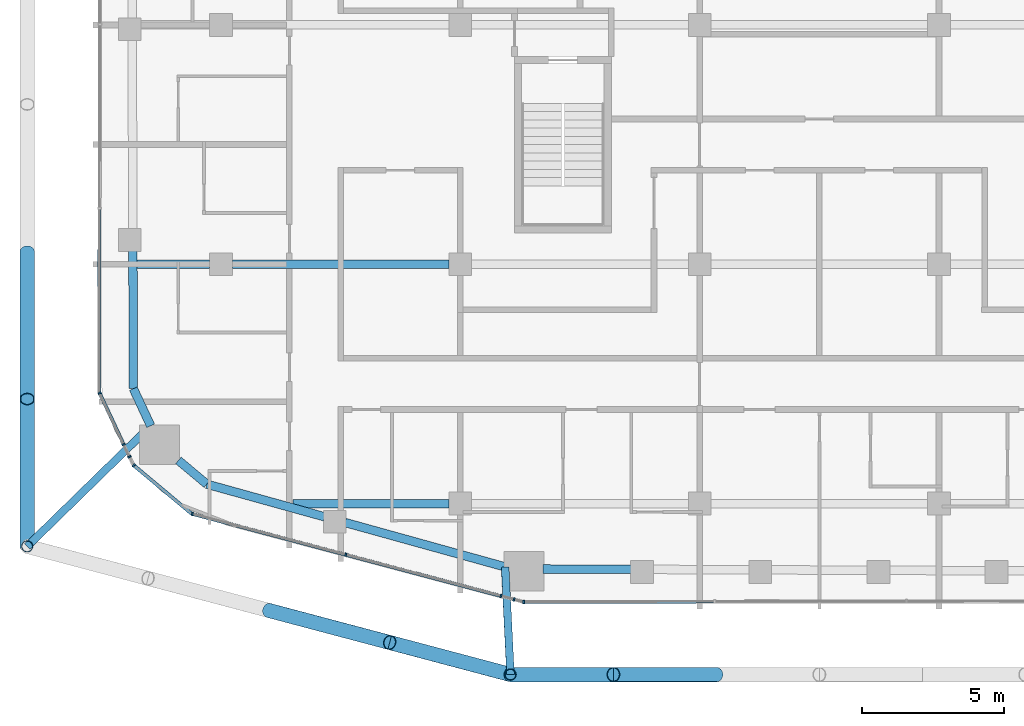
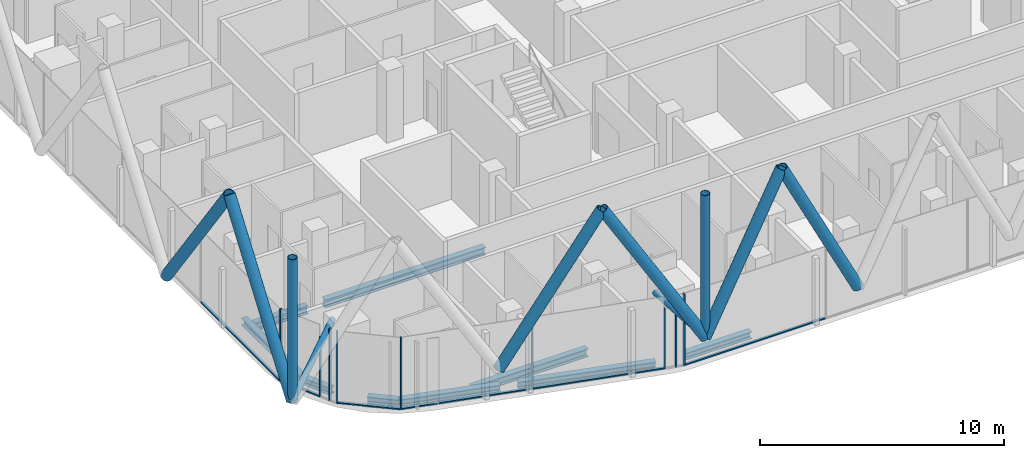
# One storey, part 2 of 28: 25 members, 9 beams, 9 elements without a shape of their own.
"""IFC4 building model written with IfcOpenShell, lengths in metres."""

import ifcopenshell
import ifcopenshell.guid

model = None  # the IFC model being written
_history = None  # IfcOwnerHistory: only IFC2X3 demands one
_inside = {}  # id of a spatial element -> (the spatial element, [elements in it])
_under = {}  # id of a project, library or spatial element -> (it, [spatial elements below it])
_declared = {}  # id of a project -> (the project, [libraries it declares])
_typed = {}  # id of a type object -> (the type object, [elements of that type])
_made_of = {}  # id of a material, layer set ... -> (it, [elements and type objects made of it])


def new_model(schema):
    """Start an empty IFC model of exactly this schema.

    Asked for "IFC4X3", IfcOpenShell would pick the latest addendum, in which some entities
    have other attributes; the version numbers below select the first issue.
    IFC2X3 requires an IfcOwnerHistory on every rooted entity: one is made here for all.
    """
    global model, _history
    if schema == "IFC4X3":
        model = ifcopenshell.file(schema_version=(4, 3, 0, 0))
    else:
        model = ifcopenshell.file(schema=schema)
    _inside.clear()
    _under.clear()
    _declared.clear()
    _typed.clear()
    _made_of.clear()
    _history = None
    if model.schema == "IFC2X3":
        org = make("IfcOrganization", Name="unknown")
        user = make(
            "IfcPersonAndOrganization",
            ThePerson=make("IfcPerson", FamilyName="unknown"),
            TheOrganization=org,
        )
        app = make(
            "IfcApplication",
            ApplicationDeveloper=org,
            Version="unknown",
            ApplicationFullName="unknown",
            ApplicationIdentifier="unknown",
        )
        _history = make(
            "IfcOwnerHistory",
            OwningUser=user,
            OwningApplication=app,
            ChangeAction="ADDED",
            CreationDate=0,
        )
    return model


def make(cls, **values):
    """One entity of the class cls with the attributes given. An attribute that is None is left unset."""
    return model.create_entity(
        cls, **{name: value for name, value in values.items() if value is not None}
    )


def rooted(cls, **values):
    """An entity with a GlobalId (a new one), such as an element, a storey or a relation."""
    return make(cls, GlobalId=ifcopenshell.guid.new(), OwnerHistory=_history, **values)


def si_unit(unit_type, name, prefix=None):
    """IfcSIUnit, for example si_unit("LENGTHUNIT", "METRE", prefix="MILLI")."""
    return make("IfcSIUnit", UnitType=unit_type, Prefix=prefix, Name=name)


def assignment(units):
    """IfcUnitAssignment: the units of a project."""
    return None if units is None else make("IfcUnitAssignment", Units=units)


def point(xyz):
    """IfcCartesianPoint."""
    return None if xyz is None else make("IfcCartesianPoint", Coordinates=xyz)


def direction(xyz):
    """IfcDirection."""
    return None if xyz is None else make("IfcDirection", DirectionRatios=xyz)


def frame(location, z_axis=None, x_axis=None):
    """IfcAxis2Placement3D, a coordinate frame: its origin and axes. An axis left out is left unset."""
    return make(
        "IfcAxis2Placement3D",
        Location=point(location),
        Axis=direction(z_axis),
        RefDirection=direction(x_axis),
    )


def frame_2d(location, x_axis=None):
    """IfcAxis2Placement2D, a coordinate frame in the plane: its origin and x axis."""
    return make(
        "IfcAxis2Placement2D", Location=point(location), RefDirection=direction(x_axis)
    )


def origin():
    """The frame at (0, 0, 0) with its axes left unset."""
    return frame((0.0, 0.0, 0.0))


def origin_2d():
    """The frame at (0, 0) in the plane with its x axis left unset."""
    return frame_2d((0.0, 0.0))


def place(relative_to, where):
    """IfcLocalPlacement: puts the frame where relative to a parent placement (None: the world)."""
    return make(
        "IfcLocalPlacement", PlacementRelTo=relative_to, RelativePlacement=where
    )


def context(
    kind, dimensions, precision=None, world=None, true_north=None, identifier=None
):
    """IfcGeometricRepresentationContext, for example the 3D "Model" context."""
    return make(
        "IfcGeometricRepresentationContext",
        ContextIdentifier=identifier,
        ContextType=kind,
        CoordinateSpaceDimension=dimensions,
        Precision=precision,
        WorldCoordinateSystem=world,
        TrueNorth=true_north,
    )


def subcontext(parent, identifier, kind, view, scale=None):
    """IfcGeometricRepresentationSubContext, for example "Body" below "Model"."""
    return make(
        "IfcGeometricRepresentationSubContext",
        ContextIdentifier=identifier,
        ContextType=kind,
        ParentContext=parent,
        TargetScale=scale,
        TargetView=view,
    )


def project(units=None, contexts=None):
    """IfcProject with its units and contexts."""
    return rooted(
        "IfcProject",
        Name="project",
        RepresentationContexts=contexts,
        UnitsInContext=assignment(units),
    )


def spatial(cls, under=None, at=None, **own):
    """A site, building, storey or space (cls), placed at a placement, below another one or the project."""
    s = rooted(cls, ObjectPlacement=at, **own)
    if under is not None:
        _under.setdefault(under.id(), (under, []))[1].append(s)
    return s


def profile(cls, at=None, kind="AREA", **sizes):
    """A parametric profile (cls). Its sizes go by their IFC names, for example OverallWidth=200.0."""
    return make(cls, ProfileType=kind, Position=at, **sizes)


def rectangle(**sizes):
    """IfcRectangleProfileDef."""
    return profile("IfcRectangleProfileDef", **sizes)


def hollow_circle(**sizes):
    """IfcCircleHollowProfileDef."""
    return profile("IfcCircleHollowProfileDef", **sizes)


def i_section(**sizes):
    """IfcIShapeProfileDef."""
    return profile("IfcIShapeProfileDef", **sizes)


def extrude(swept, where, along, depth):
    """IfcExtrudedAreaSolid: the profile swept, set in the frame where, extruded along a direction by depth."""
    return make(
        "IfcExtrudedAreaSolid",
        SweptArea=swept,
        Position=where,
        ExtrudedDirection=direction(along),
        Depth=depth,
    )


def shape(context_of_items, identifier, shape_type, items):
    """IfcShapeRepresentation: the items that make up one representation, for example the "Body"."""
    return make(
        "IfcShapeRepresentation",
        ContextOfItems=context_of_items,
        RepresentationIdentifier=identifier,
        RepresentationType=shape_type,
        Items=items,
    )


def material(Name=None, Category=None):
    """IfcMaterial."""
    return make("IfcMaterial", Name=Name, Category=Category)


def layer(
    of_material, thickness, ventilated=None, Name=None, Category=None, Priority=None
):
    """IfcMaterialLayer: one layer of a wall or slab, of a material (None: an air gap)."""
    return make(
        "IfcMaterialLayer",
        Material=of_material,
        LayerThickness=thickness,
        IsVentilated=ventilated,
        Name=Name,
        Category=Category,
        Priority=Priority,
    )


def layer_set(layers, Name=None):
    """IfcMaterialLayerSet."""
    return make("IfcMaterialLayerSet", MaterialLayers=layers, LayerSetName=Name)


def material_profile(
    of_material, cross_section, Name=None, Category=None, Priority=None
):
    """IfcMaterialProfile: a cross section and its material."""
    return make(
        "IfcMaterialProfile",
        Name=Name,
        Material=of_material,
        Profile=cross_section,
        Priority=Priority,
        Category=Category,
    )


def profile_set(profiles, Name=None, composite=None):
    """IfcMaterialProfileSet."""
    return make(
        "IfcMaterialProfileSet",
        Name=Name,
        MaterialProfiles=profiles,
        CompositeProfile=composite,
    )


def made_of(thing, what):
    """Note that an element or type object is made of a material, layer set ...; save() writes the relation."""
    if what is not None:
        _made_of.setdefault(what.id(), (what, []))[1].append(thing)
    return thing


def type_object(cls, material=None, **own):
    """A type object (cls), such as IfcWallType, which elements share."""
    return made_of(rooted(cls, **own), material)


def element(
    cls,
    number,
    at=None,
    inside=None,
    cuts=None,
    type_object=None,
    material=None,
    context=None,
    identifier="Body",
    shape_type=None,
    held_by="IfcProductDefinitionShape",
    body=None,
    shapes=None,
    **own,
):
    """One element of the class cls, such as IfcWall. Its Tag is "e" and its number.

    at: its placement. inside: the storey or other place that contains it. cuts: it is an
    opening in that element (IfcRelVoidsElement). A single representation is given by context,
    identifier, shape_type and body (its items); several are given by shapes. held_by: the class
    of the entity that holds the representations. save() writes the other relations.
    """
    e = rooted(cls, Tag="e%d" % number, ObjectPlacement=at, **own)
    if body is not None:
        shapes = [shape(context, identifier, shape_type, body)]
    if shapes is not None:
        e.Representation = make(held_by, Representations=shapes)
    if inside is not None:
        _inside.setdefault(inside.id(), (inside, []))[1].append(e)
    if cuts is not None:
        rooted(
            "IfcRelVoidsElement", RelatingBuildingElement=cuts, RelatedOpeningElement=e
        )
    if type_object is not None:
        _typed.setdefault(type_object.id(), (type_object, []))[1].append(e)
    return made_of(e, material)


def aggregate(whole, parts):
    """IfcRelAggregates: a whole, such as a stair, and the parts it consists of."""
    return rooted("IfcRelAggregates", RelatingObject=whole, RelatedObjects=parts)


def save(model, path):
    """Write the relations noted so far, then the file.

    IfcRelAggregates (storeys below a building ...), IfcRelContainedInSpatialStructure (elements
    in a storey), IfcRelDefinesByType, IfcRelAssociatesMaterial and IfcRelDeclares: one each for
    every whole, place, type object, material and project.
    """
    for whole, parts in _under.values():
        aggregate(whole, parts)
    for where, things in _inside.values():
        rooted(
            "IfcRelContainedInSpatialStructure",
            RelatedElements=things,
            RelatingStructure=where,
        )
    for kind, things in _typed.values():
        rooted("IfcRelDefinesByType", RelatedObjects=things, RelatingType=kind)
    for what, things in _made_of.values():
        rooted("IfcRelAssociatesMaterial", RelatedObjects=things, RelatingMaterial=what)
    for by, libraries in _declared.values():
        rooted("IfcRelDeclares", RelatingContext=by, RelatedDefinitions=libraries)
    model.write(path)


model = new_model("IFC4")

# Units and contexts
model_context = context("Model", 3, precision=1e-05, world=origin(), true_north=direction((0.0, 1.0)))
body_context = subcontext(model_context, "Body", "Model", "MODEL_VIEW")
ifc_project = project(units=[si_unit("LENGTHUNIT", "METRE"), si_unit("AREAUNIT", "SQUARE_METRE"), si_unit("VOLUMEUNIT", "CUBIC_METRE"), si_unit("PLANEANGLEUNIT", "RADIAN"), si_unit("MASSUNIT", "GRAM", prefix="KILO")], contexts=[model_context])

# Site, building, storey
site_placement = place(None, origin())
site = spatial("IfcSite", under=ifc_project, at=site_placement, CompositionType="ELEMENT")
building_placement = place(site_placement, origin())
building = spatial("IfcBuilding", under=site, at=building_placement, Name="Marenta Gate Hotel Tower", CompositionType="ELEMENT")
storey_placement = place(building_placement, frame((0.0, 0.0, 227.300048828125)))
storey = spatial("IfcBuildingStorey", under=building, at=storey_placement, Name="L53", CompositionType="ELEMENT", Elevation=227.300048828125)

# Members
ifc_material_1 = material(Name="Steel S355J2W", Category="steel")
ifc_material_profile_1 = material_profile(ifc_material_1, hollow_circle(Radius=0.203125, WallThickness=0.02490234375, at=origin_2d()), Name="CHS 406.4x25")
ifc_profile_set_1 = profile_set([ifc_material_profile_1], Name="Steel S355J2W")
member_type_1 = type_object("IfcMemberType", Name="Diagrid corner post Z3 CHS 406.4x25", PredefinedType="POST", material=ifc_profile_set_1)
for number, where, z_axis, x_axis, name in (
    (1, (-10.839111328125, -31.199951171875, 3.139892578125), (0.0, 0.0, 1.0), (1.0, 0.0, 0.0), "L53-DR-4"),
    (2, (-27.800048828125, -26.7001953125, 3.139892578125), (0.0, 0.0, 1.0), (1.0, 0.0, 0.0), "L53-DR-5"),
):
    element("IfcMember", number, at=place(storey_placement, frame(where, z_axis=z_axis, x_axis=x_axis)), inside=storey, type_object=member_type_1, Name=name, PredefinedType="POST", context=body_context, shape_type="SweptSolid", body=[
        extrude(hollow_circle(Radius=0.203125, WallThickness=0.02490234375, at=origin_2d()), origin(), (0.0, 0.0, 1.0), 7.199951171875),
    ])
ifc_material_2 = material(Name="Steel S355J2W", Category="steel")
ifc_material_profile_2 = material_profile(ifc_material_2, hollow_circle(Radius=0.25390625, WallThickness=0.02490234375, at=origin_2d()), Name="CHS 508x25")
ifc_profile_set_2 = profile_set([ifc_material_profile_2], Name="Steel S355J2W")
member_type_2 = type_object("IfcMemberType", Name="Diagrid diagonal Z3 CHS 508x25", PredefinedType="BRACE", material=ifc_profile_set_2)
for number, where, z_axis, x_axis, name in (
    (3, (-3.613037109375, -31.199951171875, 3.139892578125), (-0.44851025603, 0.0, 0.893777685018), (0.0, -1.0, 0.0), "L53-DG-19"),
    (4, (-10.839111328125, -31.199951171875, 3.139892578125), (0.44851025603, 0.0, 0.893777685018), (0.0, 1.0, 0.0), "L53-DG-20"),
):
    element("IfcMember", number, at=place(storey_placement, frame(where, z_axis=z_axis, x_axis=x_axis)), inside=storey, type_object=member_type_2, Name=name, PredefinedType="BRACE", context=body_context, shape_type="SweptSolid", body=[
        extrude(hollow_circle(Radius=0.25390625, WallThickness=0.02490234375, at=origin_2d()), origin(), (0.0, 0.0, 1.0), 8.0556640625),
    ])
for number, where, z_axis, x_axis, name in (
    (5, (-10.839111328125, -31.199951171875, 3.139892578125), (-0.502924018666, 0.133433548941, 0.853968921838), (-0.256443187528, -0.96655930577, 0.0), "L53-DG-21"),
    (6, (-19.319580078125, -28.9501953125, 3.139892578125), (0.502925961678, -0.133405107407, 0.853972221087), (0.256391194513, 0.966573098827, 0.0), "L53-DG-22"),
):
    element("IfcMember", number, at=place(storey_placement, frame(where, z_axis=z_axis, x_axis=x_axis)), inside=storey, type_object=member_type_2, Name=name, PredefinedType="BRACE", context=body_context, shape_type="SweptSolid", body=[
        extrude(hollow_circle(Radius=0.25390625, WallThickness=0.02490234375, at=origin_2d()), origin(), (0.0, 0.0, 1.0), 8.43115234375),
    ])
member_1_placement = place(storey_placement, frame((-27.800048828125, -26.7001953125, 3.139892578125), z_axis=(0.0, 0.583279014058, 0.812271870595), x_axis=(-1.0, 0.0, 0.0)))
element("IfcMember", 7, at=member_1_placement, inside=storey, type_object=member_type_2, Name="L53-DG-25", PredefinedType="BRACE", context=body_context, shape_type="SweptSolid", body=[
    extrude(hollow_circle(Radius=0.25390625, WallThickness=0.02490234375, at=origin_2d()), origin(), (0.0, 0.0, 1.0), 8.864013671875),
])
member_2_placement = place(storey_placement, frame((-27.800048828125, -16.360107421875, 3.139892578125), z_axis=(0.0, -0.583260841117, 0.812284919975), x_axis=(1.0, 0.0, 0.0)))
element("IfcMember", 8, at=member_2_placement, inside=storey, type_object=member_type_2, Name="L53-DG-26", PredefinedType="BRACE", context=body_context, shape_type="SweptSolid", body=[
    extrude(hollow_circle(Radius=0.25390625, WallThickness=0.02490234375, at=origin_2d()), origin(), (0.0, 0.0, 1.0), 8.86376953125),
])

# Beams
ifc_material_3 = material(Name="Steel S355", Category="steel")
ifc_material_profile_3 = material_profile(ifc_material_3, i_section(OverallWidth=0.300048828125, OverallDepth=0.340087890625, WebThickness=0.011962890625, FlangeThickness=0.021484375, FilletRadius=0.027099609375, at=origin_2d()), Name="HEB 340")
ifc_profile_set_3 = profile_set([ifc_material_profile_3], Name="Steel S355")
beam_type_1 = type_object("IfcBeamType", Name="Edge beam HEB 340", PredefinedType="SPANDREL", material=ifc_profile_set_3)
beam_1_placement = place(storey_placement, frame((-11.02783203125, -27.42236328125, -0.429931640625), z_axis=(-0.963619240724, 0.267278803699, 0.0), x_axis=(-0.267278803699, -0.963619240724, 0.0)))
element("IfcBeam", 9, at=beam_1_placement, inside=storey, type_object=beam_type_1, Name="L53-EB-1", PredefinedType="SPANDREL", context=body_context, shape_type="SweptSolid", body=[
    extrude(i_section(OverallWidth=0.300048828125, OverallDepth=0.340087890625, WebThickness=0.011962890625, FlangeThickness=0.021484375, FilletRadius=0.027099609375, at=origin_2d()), origin(), (0.0, 0.0, 1.0), 5.82958984375),
])
beam_2_placement = place(storey_placement, frame((-17.3681640625, -25.663818359375, -0.429931640625), z_axis=(-0.963628037304, 0.267247087396, 0.0), x_axis=(-0.267247087396, -0.963628037304, 0.0)))
element("IfcBeam", 10, at=beam_2_placement, inside=storey, type_object=beam_type_1, Name="L53-EB-2", PredefinedType="SPANDREL", context=body_context, shape_type="SweptSolid", body=[
    extrude(i_section(OverallWidth=0.300048828125, OverallDepth=0.340087890625, WebThickness=0.011962890625, FlangeThickness=0.021484375, FilletRadius=0.027099609375, at=origin_2d()), origin(), (0.0, 0.0, 1.0), 4.284423828125),
])
beam_3_placement = place(storey_placement, frame((-21.496826171875, -24.518798828125, -0.429931640625), z_axis=(-0.767065103149, 0.641569269472, 0.0), x_axis=(-0.641569269472, -0.767065103149, 0.0)))
element("IfcBeam", 11, at=beam_3_placement, inside=storey, type_object=beam_type_1, Name="L53-EB-3", PredefinedType="SPANDREL", context=body_context, shape_type="SweptSolid", body=[
    extrude(i_section(OverallWidth=0.300048828125, OverallDepth=0.340087890625, WebThickness=0.011962890625, FlangeThickness=0.021484375, FilletRadius=0.027099609375, at=origin_2d()), origin(), (0.0, 0.0, 1.0), 1.299560546875),
])
beam_4_placement = place(storey_placement, frame((-23.466796875, -22.46923828125, -0.429931640625), z_axis=(-0.423341112024, 0.905970365338, 0.0), x_axis=(-0.905970365338, -0.423341112024, 0.0)))
element("IfcBeam", 12, at=beam_4_placement, inside=storey, type_object=beam_type_1, Name="L53-EB-4", PredefinedType="SPANDREL", context=body_context, shape_type="SweptSolid", body=[
    extrude(i_section(OverallWidth=0.300048828125, OverallDepth=0.340087890625, WebThickness=0.011962890625, FlangeThickness=0.021484375, FilletRadius=0.027099609375, at=origin_2d()), origin(), (0.0, 0.0, 1.0), 1.437255859375),
])
beam_5_placement = place(storey_placement, frame((-24.0751953125, -21.167236328125, -0.429931640625), z_axis=(-0.003318732666, 0.999994492992, 0.0), x_axis=(-0.999994492992, -0.003318732666, 0.0)))
element("IfcBeam", 13, at=beam_5_placement, inside=storey, type_object=beam_type_1, Name="L53-EB-5", PredefinedType="SPANDREL", context=body_context, shape_type="SweptSolid", body=[
    extrude(i_section(OverallWidth=0.300048828125, OverallDepth=0.340087890625, WebThickness=0.011962890625, FlangeThickness=0.021484375, FilletRadius=0.027099609375, at=origin_2d()), origin(), (0.0, 0.0, 1.0), 4.855224609375),
])
beam_6_placement = place(storey_placement, frame((-6.580078125, -27.507568359375, -0.429931640625), z_axis=(-0.99999237665, 0.00390469495, 0.0), x_axis=(-0.00390469495, -0.99999237665, 0.0)))
element("IfcBeam", 14, at=beam_6_placement, inside=storey, type_object=beam_type_1, Name="L53-EB-36", PredefinedType="SPANDREL", context=body_context, shape_type="SweptSolid", body=[
    extrude(i_section(OverallWidth=0.300048828125, OverallDepth=0.340087890625, WebThickness=0.011962890625, FlangeThickness=0.021484375, FilletRadius=0.027099609375, at=origin_2d()), origin(), (0.0, 0.0, 1.0), 3.126220703125),
])

# Members
ifc_material_4 = material(Name="Steel S355J2W", Category="steel")
ifc_material_profile_4 = material_profile(ifc_material_4, hollow_circle(Radius=0.136474609375, WallThickness=0.012451171875, at=origin_2d()), Name="CHS 273x12.5")
ifc_profile_set_4 = profile_set([ifc_material_profile_4], Name="Steel S355J2W")
member_type_3 = type_object("IfcMemberType", Name="Floor tie CHS 273x12.5", PredefinedType="STRUT", material=ifc_profile_set_4)
member_3_placement = place(storey_placement, frame((-10.839111328125, -31.199951171875, 3.139892578125), z_axis=(-0.049850547476, 0.998756688546, 0.0), x_axis=(-0.998756688546, -0.049850547476, 0.0)))
element("IfcMember", 15, at=member_3_placement, inside=storey, type_object=member_type_3, Name="L53-DR-10", PredefinedType="STRUT", context=body_context, shape_type="SweptSolid", body=[
    extrude(hollow_circle(Radius=0.136474609375, WallThickness=0.012451171875, at=origin_2d()), origin(), (0.0, 0.0, 1.0), 3.77587890625),
])
member_4_placement = place(storey_placement, frame((-27.800048828125, -26.7001953125, 3.139892578125), z_axis=(0.715510328178, 0.698602154499, 0.0), x_axis=(-0.698602154499, 0.715510328178, 0.0)))
element("IfcMember", 16, at=member_4_placement, inside=storey, type_object=member_type_3, Name="L53-DR-11", PredefinedType="STRUT", context=body_context, shape_type="SweptSolid", body=[
    extrude(hollow_circle(Radius=0.136474609375, WallThickness=0.012451171875, at=origin_2d()), origin(), (0.0, 0.0, 1.0), 6.050048828125),
])

# Beams
ifc_material_5 = material(Name="Steel S355", Category="steel")
ifc_material_profile_5 = material_profile(ifc_material_5, i_section(OverallWidth=0.300048828125, OverallDepth=0.39990234375, WebThickness=0.013427734375, FlangeThickness=0.02392578125, FilletRadius=0.027099609375, at=origin_2d()), Name="HEB 400")
ifc_profile_set_5 = profile_set([ifc_material_profile_5], Name="Steel S355")
beam_type_2 = type_object("IfcBeamType", Name="Girder HEB 400", PredefinedType="BEAM", material=ifc_profile_set_5)
beam_7_placement = place(storey_placement, frame((-18.479248046875, -25.199951171875, -0.4599609375), z_axis=(1.0, 0.0, 0.0), x_axis=(0.0, 1.0, 0.0)))
element("IfcBeam", 17, at=beam_7_placement, inside=storey, type_object=beam_type_2, Name="L53-GD-1", PredefinedType="BEAM", context=body_context, shape_type="SweptSolid", body=[
    extrude(i_section(OverallWidth=0.300048828125, OverallDepth=0.39990234375, WebThickness=0.013427734375, FlangeThickness=0.02392578125, FilletRadius=0.027099609375, at=origin_2d()), origin(), (0.0, 0.0, 1.0), 5.479248046875),
])
beam_8_placement = place(storey_placement, frame((-23.939697265625, -16.800048828125, -0.4599609375), z_axis=(1.0, 0.0, 0.0), x_axis=(0.0, 1.0, 0.0)))
element("IfcBeam", 18, at=beam_8_placement, inside=storey, type_object=beam_type_2, Name="L53-GD-6", PredefinedType="BEAM", context=body_context, shape_type="SweptSolid", body=[
    extrude(i_section(OverallWidth=0.300048828125, OverallDepth=0.39990234375, WebThickness=0.013427734375, FlangeThickness=0.02392578125, FilletRadius=0.027099609375, at=origin_2d()), origin(), (0.0, 0.0, 1.0), 2.539794921875),
])
beam_9_placement = place(storey_placement, frame((-20.60009765625, -16.800048828125, -0.4599609375), z_axis=(1.0, 0.0, 0.0), x_axis=(0.0, 1.0, 0.0)))
element("IfcBeam", 19, at=beam_9_placement, inside=storey, type_object=beam_type_2, Name="L53-GD-7", PredefinedType="BEAM", context=body_context, shape_type="SweptSolid", body=[
    extrude(i_section(OverallWidth=0.300048828125, OverallDepth=0.39990234375, WebThickness=0.013427734375, FlangeThickness=0.02392578125, FilletRadius=0.027099609375, at=origin_2d()), origin(), (0.0, 0.0, 1.0), 7.60009765625),
])

# Curtain wall, member
ifc_material_6 = material(Name="Tinted insulated glass in bronze anodised frame", Category="glass")
ifc_layer = layer(ifc_material_6, 0.1201171875)
ifc_layer_set = layer_set([ifc_layer], Name="Tinted insulated glass in bronze anodised frame")
curtain_wall_type = type_object("IfcCurtainWallType", Name="Tower unitised curtain wall CW1", PredefinedType="NOTDEFINED", material=ifc_layer_set)
curtain_wall_1_placement = place(storey_placement, origin())
curtain_wall_1 = element("IfcCurtainWall", 20, at=curtain_wall_1_placement, inside=storey, type_object=curtain_wall_type, Name="CW1 run G05", PredefinedType="NOTDEFINED")
ifc_material_7 = material(Name="Bronze anodised aluminium", Category="aluminium")
ifc_material_profile_6 = material_profile(ifc_material_7, rectangle(XDim=0.1201171875, YDim=0.06005859375, at=origin_2d()), Name="Mullion CW1 60x120 bronze anodised aluminium")
ifc_profile_set_6 = profile_set([ifc_material_profile_6], Name="Bronze anodised aluminium")
member_type_4 = type_object("IfcMemberType", Name="Mullion CW1 60x120 bronze anodised aluminium", PredefinedType="MULLION", material=ifc_profile_set_6)
member_5_placement = place(storey_placement, frame((-25.26025390625, -21.321044921875, 0.0), z_axis=(0.0, 0.0, 1.0), x_axis=(0.905974826185, 0.423331565466, 0.0)))
member_5 = element("IfcMember", 21, at=member_5_placement, type_object=member_type_4, Name="CW1 mullion 1", PredefinedType="MULLION", context=body_context, shape_type="SweptSolid", body=[
    extrude(rectangle(XDim=0.1201171875, YDim=0.06005859375, at=origin_2d()), origin(), (0.0, 0.0, 1.0), 3.599853515625),
])

curtain_wall_2_placement = place(storey_placement, origin())
curtain_wall_2 = element("IfcCurtainWall", 22, at=curtain_wall_2_placement, inside=storey, type_object=curtain_wall_type, Name="CW1 run G06", PredefinedType="NOTDEFINED")
member_6_placement = place(storey_placement, frame((-24.418701171875, -23.121826171875, 0.0), z_axis=(0.0, 0.0, 1.0), x_axis=(0.905948786251, 0.423387289241, 0.0)))
member_6 = element("IfcMember", 23, at=member_6_placement, type_object=member_type_4, Name="CW1 mullion 1", PredefinedType="MULLION", context=body_context, shape_type="SweptSolid", body=[
    extrude(rectangle(XDim=0.1201171875, YDim=0.06005859375, at=origin_2d()), origin(), (0.0, 0.0, 1.0), 3.00048828125),
])
aggregate(curtain_wall_2, [member_6])

curtain_wall_3_placement = place(storey_placement, origin())
curtain_wall_3 = element("IfcCurtainWall", 24, at=curtain_wall_3_placement, inside=storey, type_object=curtain_wall_type, Name="CW1 run G07", PredefinedType="NOTDEFINED")
member_7_placement = place(storey_placement, frame((-24.215576171875, -23.556640625, 0.0), z_axis=(0.0, 0.0, 1.0), x_axis=(0.905989668401, 0.423299800084, 0.0)))
member_7 = element("IfcMember", 25, at=member_7_placement, type_object=member_type_4, Name="CW1 mullion 1", PredefinedType="MULLION", context=body_context, shape_type="SweptSolid", body=[
    extrude(rectangle(XDim=0.1201171875, YDim=0.06005859375, at=origin_2d()), origin(), (0.0, 0.0, 1.0), 3.599853515625),
])
aggregate(curtain_wall_3, [member_7])

curtain_wall_4_placement = place(storey_placement, origin())
curtain_wall_4 = element("IfcCurtainWall", 26, at=curtain_wall_4_placement, inside=storey, type_object=curtain_wall_type, Name="CW1 run G08", PredefinedType="NOTDEFINED")
member_8_placement = place(storey_placement, frame((-24.059814453125, -23.85986328125, 0.0), z_axis=(0.0, 0.0, 1.0), x_axis=(0.641524739495, 0.767102345594, 0.0)))
member_8 = element("IfcMember", 27, at=member_8_placement, type_object=member_type_4, Name="CW1 mullion 1", PredefinedType="MULLION", context=body_context, shape_type="SweptSolid", body=[
    extrude(rectangle(XDim=0.1201171875, YDim=0.06005859375, at=origin_2d()), origin(), (0.0, 0.0, 1.0), 3.599853515625),
])

# Curtain wall, members
curtain_wall_5_placement = place(storey_placement, origin())
curtain_wall_5 = element("IfcCurtainWall", 28, at=curtain_wall_5_placement, inside=storey, type_object=curtain_wall_type, Name="CW1 run G09", PredefinedType="NOTDEFINED")
member_9_placement = place(storey_placement, frame((-22.00634765625, -25.560791015625, 0.0), z_axis=(0.0, 0.0, 1.0), x_axis=(0.257131734785, 0.966376360931, 0.0)))
member_9 = element("IfcMember", 29, at=member_9_placement, type_object=member_type_4, Name="CW1 mullion 1", PredefinedType="MULLION", context=body_context, shape_type="SweptSolid", body=[
    extrude(rectangle(XDim=0.1201171875, YDim=0.06005859375, at=origin_2d()), origin(), (0.0, 0.0, 1.0), 3.599853515625),
])
member_10_placement = place(storey_placement, frame((-16.61962890625, -26.994140625, 0.0), z_axis=(0.0, 0.0, 1.0), x_axis=(0.257131734785, 0.966376360931, 0.0)))
member_10 = element("IfcMember", 30, at=member_10_placement, type_object=member_type_4, Name="CW1 mullion 2", PredefinedType="MULLION", context=body_context, shape_type="SweptSolid", body=[
    extrude(rectangle(XDim=0.1201171875, YDim=0.06005859375, at=origin_2d()), origin(), (0.0, 0.0, 1.0), 3.599853515625),
])

# Curtain wall, member
curtain_wall_6_placement = place(storey_placement, origin())
curtain_wall_6 = element("IfcCurtainWall", 31, at=curtain_wall_6_placement, inside=storey, type_object=curtain_wall_type, Name="CW1 run G10", PredefinedType="NOTDEFINED")
member_11_placement = place(storey_placement, frame((-11.1748046875, -28.44287109375, 0.0), z_axis=(0.0, 0.0, 1.0), x_axis=(0.257099982864, 0.966384808868, 0.0)))
member_11 = element("IfcMember", 32, at=member_11_placement, type_object=member_type_4, Name="CW1 mullion 1", PredefinedType="MULLION", context=body_context, shape_type="SweptSolid", body=[
    extrude(rectangle(XDim=0.1201171875, YDim=0.06005859375, at=origin_2d()), origin(), (0.0, 0.0, 1.0), 3.00048828125),
])
aggregate(curtain_wall_6, [member_11])

curtain_wall_7_placement = place(storey_placement, origin())
curtain_wall_7 = element("IfcCurtainWall", 33, at=curtain_wall_7_placement, inside=storey, type_object=curtain_wall_type, Name="CW1 run G11", PredefinedType="NOTDEFINED")
member_12_placement = place(storey_placement, frame((-10.71533203125, -28.565185546875, 0.0), z_axis=(0.0, 0.0, 1.0), x_axis=(0.257431460974, 0.966296560535, 0.0)))
member_12 = element("IfcMember", 34, at=member_12_placement, type_object=member_type_4, Name="CW1 mullion 1", PredefinedType="MULLION", context=body_context, shape_type="SweptSolid", body=[
    extrude(rectangle(XDim=0.1201171875, YDim=0.06005859375, at=origin_2d()), origin(), (0.0, 0.0, 1.0), 3.599853515625),
])
aggregate(curtain_wall_7, [member_12])

curtain_wall_8_placement = place(storey_placement, origin())
curtain_wall_8 = element("IfcCurtainWall", 35, at=curtain_wall_8_placement, inside=storey, type_object=curtain_wall_type, Name="CW1 run G12", PredefinedType="NOTDEFINED")
member_13_placement = place(storey_placement, frame((-10.3759765625, -28.6474609375, 0.0), z_axis=(0.0, 0.0, 1.0), x_axis=(-0.001643488917, 0.999998649471, 0.0)))
member_13 = element("IfcMember", 36, at=member_13_placement, type_object=member_type_4, Name="CW1 mullion 1", PredefinedType="MULLION", context=body_context, shape_type="SweptSolid", body=[
    extrude(rectangle(XDim=0.1201171875, YDim=0.06005859375, at=origin_2d()), origin(), (0.0, 0.0, 1.0), 3.599853515625),
])

curtain_wall_9_placement = place(storey_placement, origin())
curtain_wall_9 = element("IfcCurtainWall", 37, at=curtain_wall_9_placement, inside=storey, type_object=curtain_wall_type, Name="CW1 run G04", PredefinedType="NOTDEFINED")
ifc_material_8 = material(Name="Bronze anodised aluminium", Category="aluminium")
ifc_material_profile_7 = material_profile(ifc_material_8, rectangle(XDim=0.1201171875, YDim=0.06005859375, at=origin_2d()), Name="Transom CW1 60x120 bronze anodised aluminium")
ifc_profile_set_7 = profile_set([ifc_material_profile_7], Name="Bronze anodised aluminium")
member_type_5 = type_object("IfcMemberType", Name="Transom CW1 60x120 bronze anodised aluminium", PredefinedType="USERDEFINED", material=ifc_profile_set_7)
member_14_placement = place(storey_placement, frame((-25.262939453125, -14.86376953125, 0.030029296875), z_axis=(-0.001556743377, -0.999998788274, 0.0), x_axis=(0.999998788274, -0.001556743377, 0.0)))
member_14 = element("IfcMember", 38, at=member_14_placement, type_object=member_type_5, Name="CW1 transom 6.1", ObjectType="TRANSOM", PredefinedType="USERDEFINED", context=body_context, shape_type="SweptSolid", body=[
    extrude(rectangle(XDim=0.1201171875, YDim=0.06005859375, at=origin_2d()), origin(), (0.0, 0.0, 1.0), 6.429931640625),
])
aggregate(curtain_wall_9, [member_14])

# Member
member_15_placement = place(storey_placement, frame((-25.24755859375, -21.34814453125, 0.030029296875), z_axis=(0.423349902149, -0.905966257843, 0.0), x_axis=(0.905966257843, 0.423349902149, 0.0)))
member_15 = element("IfcMember", 39, at=member_15_placement, type_object=member_type_5, Name="CW1 transom 1.1", ObjectType="TRANSOM", PredefinedType="USERDEFINED", context=body_context, shape_type="SweptSolid", body=[
    extrude(rectangle(XDim=0.1201171875, YDim=0.06005859375, at=origin_2d()), origin(), (0.0, 0.0, 1.0), 1.927978515625),
])

aggregate(curtain_wall_1, [member_5, member_15])

member_16_placement = place(storey_placement, frame((-24.036865234375, -23.879150390625, 0.030029296875), z_axis=(0.767100312603, -0.641527170433, 0.0), x_axis=(0.641527170433, 0.767100312603, 0.0)))
member_16 = element("IfcMember", 40, at=member_16_placement, type_object=member_type_5, Name="CW1 transom 1.1", ObjectType="TRANSOM", PredefinedType="USERDEFINED", context=body_context, shape_type="SweptSolid", body=[
    extrude(rectangle(XDim=0.1201171875, YDim=0.06005859375, at=origin_2d()), origin(), (0.0, 0.0, 1.0), 2.609130859375),
])

aggregate(curtain_wall_4, [member_8, member_16])

member_17_placement = place(storey_placement, frame((-21.977294921875, -25.568603515625, 0.030029296875), z_axis=(0.96638102535, -0.257114203895, 0.0), x_axis=(0.257114203895, 0.96638102535, 0.0)))
member_17 = element("IfcMember", 41, at=member_17_placement, type_object=member_type_5, Name="CW1 transom 1.1", ObjectType="TRANSOM", PredefinedType="USERDEFINED", context=body_context, shape_type="SweptSolid", body=[
    extrude(rectangle(XDim=0.1201171875, YDim=0.06005859375, at=origin_2d()), origin(), (0.0, 0.0, 1.0), 5.513916015625),
])

member_18_placement = place(storey_placement, frame((-16.590576171875, -27.001708984375, 0.030029296875), z_axis=(0.966373646518, -0.257141936127, 0.0), x_axis=(0.257141936127, 0.966373646518, 0.0)))
member_18 = element("IfcMember", 42, at=member_18_placement, type_object=member_type_5, Name="CW1 transom 2.1", ObjectType="TRANSOM", PredefinedType="USERDEFINED", context=body_context, shape_type="SweptSolid", body=[
    extrude(rectangle(XDim=0.1201171875, YDim=0.06005859375, at=origin_2d()), origin(), (0.0, 0.0, 1.0), 5.57421875),
])

aggregate(curtain_wall_5, [member_9, member_10, member_17, member_18])

member_19_placement = place(storey_placement, frame((-10.345947265625, -28.6474609375, 0.030029296875), z_axis=(0.99999863267, 0.001653679938, 0.0), x_axis=(-0.001653679938, 0.99999863267, 0.0)))
member_19 = element("IfcMember", 43, at=member_19_placement, type_object=member_type_5, Name="CW1 transom 1.1", ObjectType="TRANSOM", PredefinedType="USERDEFINED", context=body_context, shape_type="SweptSolid", body=[
    extrude(rectangle(XDim=0.1201171875, YDim=0.06005859375, at=origin_2d()), origin(), (0.0, 0.0, 1.0), 6.6435546875),
])

aggregate(curtain_wall_8, [member_13, member_19])

save(model, "model.ifc")
